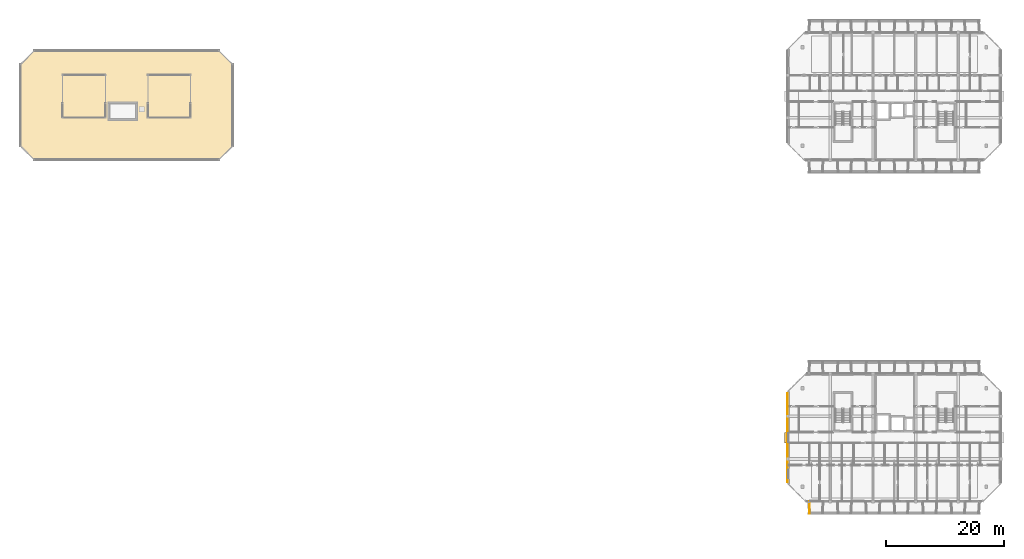
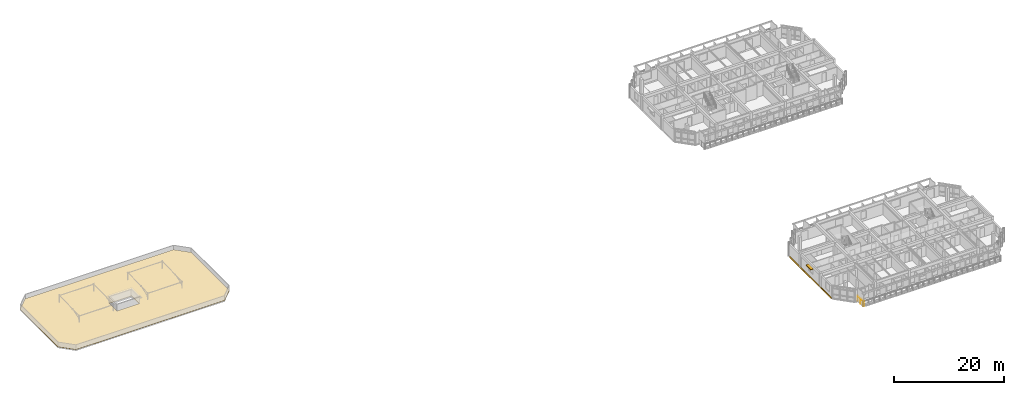
# One storey, part 26 of 31: 2 coverings, 1 railing, 1 shading device.
"""IFC4 building model written with IfcOpenShell, lengths in metres."""

import ifcopenshell
import ifcopenshell.guid

model = None  # the IFC model being written
_history = None  # IfcOwnerHistory: only IFC2X3 demands one
_inside = {}  # id of a spatial element -> (the spatial element, [elements in it])
_under = {}  # id of a project, library or spatial element -> (it, [spatial elements below it])
_declared = {}  # id of a project -> (the project, [libraries it declares])
_typed = {}  # id of a type object -> (the type object, [elements of that type])
_made_of = {}  # id of a material, layer set ... -> (it, [elements and type objects made of it])


def new_model(schema):
    """Start an empty IFC model of exactly this schema.

    Asked for "IFC4X3", IfcOpenShell would pick the latest addendum, in which some entities
    have other attributes; the version numbers below select the first issue.
    IFC2X3 requires an IfcOwnerHistory on every rooted entity: one is made here for all.
    """
    global model, _history
    if schema == "IFC4X3":
        model = ifcopenshell.file(schema_version=(4, 3, 0, 0))
    else:
        model = ifcopenshell.file(schema=schema)
    _inside.clear()
    _under.clear()
    _declared.clear()
    _typed.clear()
    _made_of.clear()
    _history = None
    if model.schema == "IFC2X3":
        org = make("IfcOrganization", Name="unknown")
        user = make(
            "IfcPersonAndOrganization",
            ThePerson=make("IfcPerson", FamilyName="unknown"),
            TheOrganization=org,
        )
        app = make(
            "IfcApplication",
            ApplicationDeveloper=org,
            Version="unknown",
            ApplicationFullName="unknown",
            ApplicationIdentifier="unknown",
        )
        _history = make(
            "IfcOwnerHistory",
            OwningUser=user,
            OwningApplication=app,
            ChangeAction="ADDED",
            CreationDate=0,
        )
    return model


def make(cls, **values):
    """One entity of the class cls with the attributes given. An attribute that is None is left unset."""
    return model.create_entity(
        cls, **{name: value for name, value in values.items() if value is not None}
    )


def rooted(cls, **values):
    """An entity with a GlobalId (a new one), such as an element, a storey or a relation."""
    return make(cls, GlobalId=ifcopenshell.guid.new(), OwnerHistory=_history, **values)


def si_unit(unit_type, name, prefix=None):
    """IfcSIUnit, for example si_unit("LENGTHUNIT", "METRE", prefix="MILLI")."""
    return make("IfcSIUnit", UnitType=unit_type, Prefix=prefix, Name=name)


def assignment(units):
    """IfcUnitAssignment: the units of a project."""
    return None if units is None else make("IfcUnitAssignment", Units=units)


def point(xyz):
    """IfcCartesianPoint."""
    return None if xyz is None else make("IfcCartesianPoint", Coordinates=xyz)


def direction(xyz):
    """IfcDirection."""
    return None if xyz is None else make("IfcDirection", DirectionRatios=xyz)


def frame(location, z_axis=None, x_axis=None):
    """IfcAxis2Placement3D, a coordinate frame: its origin and axes. An axis left out is left unset."""
    return make(
        "IfcAxis2Placement3D",
        Location=point(location),
        Axis=direction(z_axis),
        RefDirection=direction(x_axis),
    )


def frame_2d(location, x_axis=None):
    """IfcAxis2Placement2D, a coordinate frame in the plane: its origin and x axis."""
    return make(
        "IfcAxis2Placement2D", Location=point(location), RefDirection=direction(x_axis)
    )


def origin():
    """The frame at (0, 0, 0) with its axes left unset."""
    return frame((0.0, 0.0, 0.0))


def origin_2d():
    """The frame at (0, 0) in the plane with its x axis left unset."""
    return frame_2d((0.0, 0.0))


def place(relative_to, where):
    """IfcLocalPlacement: puts the frame where relative to a parent placement (None: the world)."""
    return make(
        "IfcLocalPlacement", PlacementRelTo=relative_to, RelativePlacement=where
    )


def context(
    kind, dimensions, precision=None, world=None, true_north=None, identifier=None
):
    """IfcGeometricRepresentationContext, for example the 3D "Model" context."""
    return make(
        "IfcGeometricRepresentationContext",
        ContextIdentifier=identifier,
        ContextType=kind,
        CoordinateSpaceDimension=dimensions,
        Precision=precision,
        WorldCoordinateSystem=world,
        TrueNorth=true_north,
    )


def subcontext(parent, identifier, kind, view, scale=None):
    """IfcGeometricRepresentationSubContext, for example "Body" below "Model"."""
    return make(
        "IfcGeometricRepresentationSubContext",
        ContextIdentifier=identifier,
        ContextType=kind,
        ParentContext=parent,
        TargetScale=scale,
        TargetView=view,
    )


def project(units=None, contexts=None):
    """IfcProject with its units and contexts."""
    return rooted(
        "IfcProject",
        Name="project",
        RepresentationContexts=contexts,
        UnitsInContext=assignment(units),
    )


def spatial(cls, under=None, at=None, **own):
    """A site, building, storey or space (cls), placed at a placement, below another one or the project."""
    s = rooted(cls, ObjectPlacement=at, **own)
    if under is not None:
        _under.setdefault(under.id(), (under, []))[1].append(s)
    return s


def polyline(points):
    """IfcPolyline through the points."""
    return make("IfcPolyline", Points=[point(p) for p in points])


def profile(cls, at=None, kind="AREA", **sizes):
    """A parametric profile (cls). Its sizes go by their IFC names, for example OverallWidth=200.0."""
    return make(cls, ProfileType=kind, Position=at, **sizes)


def rectangle(**sizes):
    """IfcRectangleProfileDef."""
    return profile("IfcRectangleProfileDef", **sizes)


def circle(**sizes):
    """IfcCircleProfileDef."""
    return profile("IfcCircleProfileDef", **sizes)


def outline(outer, holes=None, kind="AREA"):
    """IfcArbitraryClosedProfileDef: a profile drawn as a closed curve; with holes, ...WithVoids."""
    if holes is None:
        return make("IfcArbitraryClosedProfileDef", ProfileType=kind, OuterCurve=outer)
    return make(
        "IfcArbitraryProfileDefWithVoids",
        ProfileType=kind,
        OuterCurve=outer,
        InnerCurves=holes,
    )


def extrude(swept, where, along, depth):
    """IfcExtrudedAreaSolid: the profile swept, set in the frame where, extruded along a direction by depth."""
    return make(
        "IfcExtrudedAreaSolid",
        SweptArea=swept,
        Position=where,
        ExtrudedDirection=direction(along),
        Depth=depth,
    )


def shape(context_of_items, identifier, shape_type, items):
    """IfcShapeRepresentation: the items that make up one representation, for example the "Body"."""
    return make(
        "IfcShapeRepresentation",
        ContextOfItems=context_of_items,
        RepresentationIdentifier=identifier,
        RepresentationType=shape_type,
        Items=items,
    )


def material(Name=None, Category=None):
    """IfcMaterial."""
    return make("IfcMaterial", Name=Name, Category=Category)


def layer(
    of_material, thickness, ventilated=None, Name=None, Category=None, Priority=None
):
    """IfcMaterialLayer: one layer of a wall or slab, of a material (None: an air gap)."""
    return make(
        "IfcMaterialLayer",
        Material=of_material,
        LayerThickness=thickness,
        IsVentilated=ventilated,
        Name=Name,
        Category=Category,
        Priority=Priority,
    )


def layer_set(layers, Name=None):
    """IfcMaterialLayerSet."""
    return make("IfcMaterialLayerSet", MaterialLayers=layers, LayerSetName=Name)


def made_of(thing, what):
    """Note that an element or type object is made of a material, layer set ...; save() writes the relation."""
    if what is not None:
        _made_of.setdefault(what.id(), (what, []))[1].append(thing)
    return thing


def type_object(cls, material=None, **own):
    """A type object (cls), such as IfcWallType, which elements share."""
    return made_of(rooted(cls, **own), material)


def element(
    cls,
    number,
    at=None,
    inside=None,
    cuts=None,
    type_object=None,
    material=None,
    context=None,
    identifier="Body",
    shape_type=None,
    held_by="IfcProductDefinitionShape",
    body=None,
    shapes=None,
    **own,
):
    """One element of the class cls, such as IfcWall. Its Tag is "e" and its number.

    at: its placement. inside: the storey or other place that contains it. cuts: it is an
    opening in that element (IfcRelVoidsElement). A single representation is given by context,
    identifier, shape_type and body (its items); several are given by shapes. held_by: the class
    of the entity that holds the representations. save() writes the other relations.
    """
    e = rooted(cls, Tag="e%d" % number, ObjectPlacement=at, **own)
    if body is not None:
        shapes = [shape(context, identifier, shape_type, body)]
    if shapes is not None:
        e.Representation = make(held_by, Representations=shapes)
    if inside is not None:
        _inside.setdefault(inside.id(), (inside, []))[1].append(e)
    if cuts is not None:
        rooted(
            "IfcRelVoidsElement", RelatingBuildingElement=cuts, RelatedOpeningElement=e
        )
    if type_object is not None:
        _typed.setdefault(type_object.id(), (type_object, []))[1].append(e)
    return made_of(e, material)


def aggregate(whole, parts):
    """IfcRelAggregates: a whole, such as a stair, and the parts it consists of."""
    return rooted("IfcRelAggregates", RelatingObject=whole, RelatedObjects=parts)


def save(model, path):
    """Write the relations noted so far, then the file.

    IfcRelAggregates (storeys below a building ...), IfcRelContainedInSpatialStructure (elements
    in a storey), IfcRelDefinesByType, IfcRelAssociatesMaterial and IfcRelDeclares: one each for
    every whole, place, type object, material and project.
    """
    for whole, parts in _under.values():
        aggregate(whole, parts)
    for where, things in _inside.values():
        rooted(
            "IfcRelContainedInSpatialStructure",
            RelatedElements=things,
            RelatingStructure=where,
        )
    for kind, things in _typed.values():
        rooted("IfcRelDefinesByType", RelatedObjects=things, RelatingType=kind)
    for what, things in _made_of.values():
        rooted("IfcRelAssociatesMaterial", RelatedObjects=things, RelatingMaterial=what)
    for by, libraries in _declared.values():
        rooted("IfcRelDeclares", RelatingContext=by, RelatedDefinitions=libraries)
    model.write(path)


model = new_model("IFC4")

# Units and contexts
model_context = context("Model", 3, precision=1e-05, world=origin(), true_north=direction((0.0, 1.0)))
body_context = subcontext(model_context, "Body", "Model", "MODEL_VIEW")
ifc_project = project(units=[si_unit("LENGTHUNIT", "METRE"), si_unit("AREAUNIT", "SQUARE_METRE"), si_unit("VOLUMEUNIT", "CUBIC_METRE"), si_unit("PLANEANGLEUNIT", "RADIAN"), si_unit("MASSUNIT", "GRAM", prefix="KILO")], contexts=[model_context])

# Site, building, storey
site_placement = place(None, origin())
site = spatial("IfcSite", under=ifc_project, at=site_placement, CompositionType="ELEMENT")
building_placement = place(site_placement, origin())
building = spatial("IfcBuilding", under=site, at=building_placement, Name="Ochrevale Crest", CompositionType="ELEMENT")
storey_placement = place(building_placement, frame((0.0, 0.0, 37.050048828125)))
storey = spatial("IfcBuildingStorey", under=building, at=storey_placement, Name="L11", CompositionType="ELEMENT", Elevation=37.050048828125)

# Coverings
ifc_material_1 = material(Name="Glazed terracotta rainscreen tile", Category="masonry")
ifc_layer_1 = layer(ifc_material_1, 0.048095703125)
ifc_layer_set_1 = layer_set([ifc_layer_1], Name="Glazed terracotta rainscreen tile")
covering_type_1 = type_object("IfcCoveringType", Name="COV-CLAD-TER", PredefinedType="CLADDING", material=ifc_layer_set_1)
covering_1_placement = place(storey_placement, frame((129.58544921875, 25.199951171875, -0.26025390625), z_axis=(0.0, 0.0, 1.0), x_axis=(0.0, -1.0, 0.0)))
element("IfcCovering", 1, at=covering_1_placement, inside=storey, type_object=covering_type_1, Name="Block C L11 terracotta slab-edge spandrel cladding", PredefinedType="CLADDING", context=body_context, shape_type="SweptSolid", body=[
    extrude(rectangle(XDim=15.0, YDim=0.06005859375, at=origin_2d()), origin(), (0.0, 0.0, 1.0), 0.280029296875),
])
ifc_material_2 = material(Name="SBS polymer-modified bitumen waterproofing membrane", Category="bitumen")
ifc_layer_2 = layer(ifc_material_2, 0.034912109375)
ifc_layer_set_2 = layer_set([ifc_layer_2], Name="SBS polymer-modified bitumen waterproofing membrane")
covering_type_2 = type_object("IfcCoveringType", Name="COV-ROOF-MEM", PredefinedType="ROOFING", material=ifc_layer_set_2)
covering_2_placement = place(storey_placement, origin())
element("IfcCovering", 2, at=covering_2_placement, inside=storey, type_object=covering_type_2, Name="Block B SBS waterproofing roof membrane", PredefinedType="ROOFING", context=body_context, shape_type="SweptSolid", body=[
    extrude(outline(polyline([(2.39990234375, 72.0), (33.60009765625, 72.0), (36.0, 74.39990234375), (36.0, 88.199951171875), (33.60009765625, 90.60009765625), (2.39990234375, 90.60009765625), (0.0, 88.199951171875), (0.0, 74.39990234375), (2.39990234375, 72.0)]), holes=[polyline([(15.0, 78.89990234375), (19.64990234375, 78.89990234375), (19.64990234375, 81.699951171875), (15.0, 81.699951171875), (15.0, 78.89990234375)])]), origin(), (0.0, 0.0, 1.0), 0.034912109375),
])

# Railing
ifc_material_3 = material(Name="Galvanised steel", Category="steel")
railing_type = type_object("IfcRailingType", Name="RL-BAL-1100", PredefinedType="BALUSTRADE", material=ifc_material_3)
railing_placement = place(storey_placement, frame((133.260009765625, 14.39990234375, 0.0)))
element("IfcRailing", 3, at=railing_placement, inside=storey, type_object=railing_type, Name="Block C L11 S-W balcony side guard", PredefinedType="BALUSTRADE", context=body_context, shape_type="SweptSolid", body=[
    extrude(circle(Radius=0.02392578125, at=origin_2d()), frame((0.0, 0.0, 1.0859375), z_axis=(0.0, -1.0, 0.0), x_axis=(1.0, 0.0, 0.0)), (0.0, 0.0, 1.0), 2.039794921875),
    extrude(circle(Radius=0.02099609375, at=origin_2d()), origin(), (0.0, 0.0, 1.0), 1.06201171875),
    extrude(circle(Radius=0.02099609375, at=origin_2d()), frame((0.0, -1.02001953125, 0.0)), (0.0, 0.0, 1.0), 1.06201171875),
    extrude(circle(Radius=0.02099609375, at=origin_2d()), frame((0.0, -2.039794921875, 0.0)), (0.0, 0.0, 1.0), 1.06201171875),
])

# Shading device
ifc_material_4 = material(Name="Anodised aluminium 6063-T5", Category="aluminium")
shading_device_type = type_object("IfcShadingDeviceType", Name="SHD-SUNSHADE-OC", PredefinedType="USERDEFINED", material=ifc_material_4)
shading_device_placement = place(storey_placement, frame((129.360107421875, 25.199951171875, 2.2099609375), z_axis=(0.0, 0.0, 1.0), x_axis=(1.0, 0.0, 0.0)))
element("IfcShadingDevice", 4, at=shading_device_placement, inside=storey, type_object=shading_device_type, Name="Block C L11 gable window sunshade W", ObjectType="HORIZONTAL SUNSHADE", PredefinedType="USERDEFINED", context=body_context, shape_type="SweptSolid", body=[
    extrude(rectangle(XDim=0.550048828125, YDim=1.800048828125, at=origin_2d()), origin(), (0.0, 0.0, 1.0), 0.139892578125),
])

save(model, "model.ifc")
